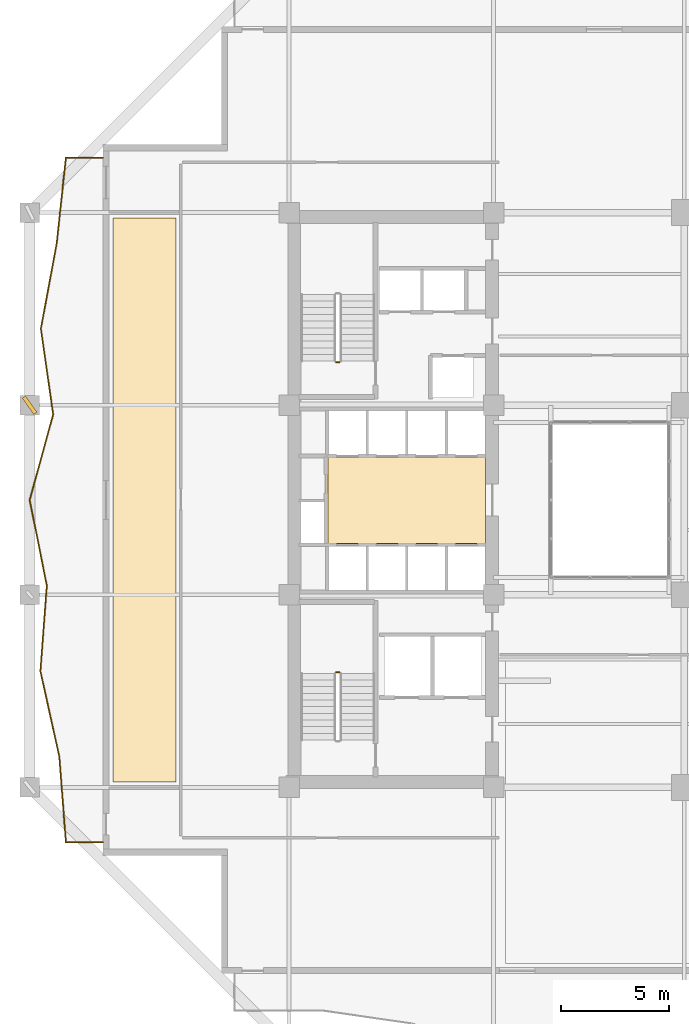
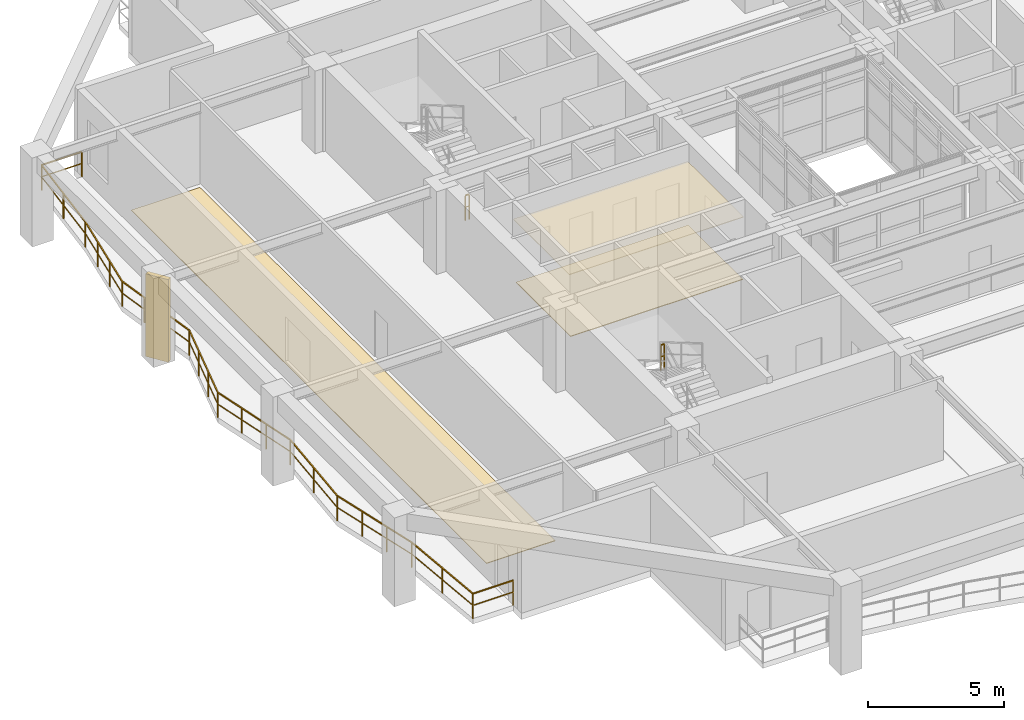
# One storey, part 12 of 17: 3 coverings, 3 railings, 1 shading device.
"""IFC4 building model written with IfcOpenShell, lengths in metres."""

import ifcopenshell
import ifcopenshell.guid

model = None  # the IFC model being written
_history = None  # IfcOwnerHistory: only IFC2X3 demands one
_inside = {}  # id of a spatial element -> (the spatial element, [elements in it])
_under = {}  # id of a project, library or spatial element -> (it, [spatial elements below it])
_declared = {}  # id of a project -> (the project, [libraries it declares])
_typed = {}  # id of a type object -> (the type object, [elements of that type])
_made_of = {}  # id of a material, layer set ... -> (it, [elements and type objects made of it])


def new_model(schema):
    """Start an empty IFC model of exactly this schema.

    Asked for "IFC4X3", IfcOpenShell would pick the latest addendum, in which some entities
    have other attributes; the version numbers below select the first issue.
    IFC2X3 requires an IfcOwnerHistory on every rooted entity: one is made here for all.
    """
    global model, _history
    if schema == "IFC4X3":
        model = ifcopenshell.file(schema_version=(4, 3, 0, 0))
    else:
        model = ifcopenshell.file(schema=schema)
    _inside.clear()
    _under.clear()
    _declared.clear()
    _typed.clear()
    _made_of.clear()
    _history = None
    if model.schema == "IFC2X3":
        org = make("IfcOrganization", Name="unknown")
        user = make(
            "IfcPersonAndOrganization",
            ThePerson=make("IfcPerson", FamilyName="unknown"),
            TheOrganization=org,
        )
        app = make(
            "IfcApplication",
            ApplicationDeveloper=org,
            Version="unknown",
            ApplicationFullName="unknown",
            ApplicationIdentifier="unknown",
        )
        _history = make(
            "IfcOwnerHistory",
            OwningUser=user,
            OwningApplication=app,
            ChangeAction="ADDED",
            CreationDate=0,
        )
    return model


def make(cls, **values):
    """One entity of the class cls with the attributes given. An attribute that is None is left unset."""
    return model.create_entity(
        cls, **{name: value for name, value in values.items() if value is not None}
    )


def rooted(cls, **values):
    """An entity with a GlobalId (a new one), such as an element, a storey or a relation."""
    return make(cls, GlobalId=ifcopenshell.guid.new(), OwnerHistory=_history, **values)


def si_unit(unit_type, name, prefix=None):
    """IfcSIUnit, for example si_unit("LENGTHUNIT", "METRE", prefix="MILLI")."""
    return make("IfcSIUnit", UnitType=unit_type, Prefix=prefix, Name=name)


def assignment(units):
    """IfcUnitAssignment: the units of a project."""
    return None if units is None else make("IfcUnitAssignment", Units=units)


def point(xyz):
    """IfcCartesianPoint."""
    return None if xyz is None else make("IfcCartesianPoint", Coordinates=xyz)


def direction(xyz):
    """IfcDirection."""
    return None if xyz is None else make("IfcDirection", DirectionRatios=xyz)


def frame(location, z_axis=None, x_axis=None):
    """IfcAxis2Placement3D, a coordinate frame: its origin and axes. An axis left out is left unset."""
    return make(
        "IfcAxis2Placement3D",
        Location=point(location),
        Axis=direction(z_axis),
        RefDirection=direction(x_axis),
    )


def frame_2d(location, x_axis=None):
    """IfcAxis2Placement2D, a coordinate frame in the plane: its origin and x axis."""
    return make(
        "IfcAxis2Placement2D", Location=point(location), RefDirection=direction(x_axis)
    )


def origin():
    """The frame at (0, 0, 0) with its axes left unset."""
    return frame((0.0, 0.0, 0.0))


def origin_2d():
    """The frame at (0, 0) in the plane with its x axis left unset."""
    return frame_2d((0.0, 0.0))


def place(relative_to, where):
    """IfcLocalPlacement: puts the frame where relative to a parent placement (None: the world)."""
    return make(
        "IfcLocalPlacement", PlacementRelTo=relative_to, RelativePlacement=where
    )


def context(
    kind, dimensions, precision=None, world=None, true_north=None, identifier=None
):
    """IfcGeometricRepresentationContext, for example the 3D "Model" context."""
    return make(
        "IfcGeometricRepresentationContext",
        ContextIdentifier=identifier,
        ContextType=kind,
        CoordinateSpaceDimension=dimensions,
        Precision=precision,
        WorldCoordinateSystem=world,
        TrueNorth=true_north,
    )


def subcontext(parent, identifier, kind, view, scale=None):
    """IfcGeometricRepresentationSubContext, for example "Body" below "Model"."""
    return make(
        "IfcGeometricRepresentationSubContext",
        ContextIdentifier=identifier,
        ContextType=kind,
        ParentContext=parent,
        TargetScale=scale,
        TargetView=view,
    )


def project(units=None, contexts=None):
    """IfcProject with its units and contexts."""
    return rooted(
        "IfcProject",
        Name="project",
        RepresentationContexts=contexts,
        UnitsInContext=assignment(units),
    )


def spatial(cls, under=None, at=None, **own):
    """A site, building, storey or space (cls), placed at a placement, below another one or the project."""
    s = rooted(cls, ObjectPlacement=at, **own)
    if under is not None:
        _under.setdefault(under.id(), (under, []))[1].append(s)
    return s


def polyline(points):
    """IfcPolyline through the points."""
    return make("IfcPolyline", Points=[point(p) for p in points])


def profile(cls, at=None, kind="AREA", **sizes):
    """A parametric profile (cls). Its sizes go by their IFC names, for example OverallWidth=200.0."""
    return make(cls, ProfileType=kind, Position=at, **sizes)


def rectangle(**sizes):
    """IfcRectangleProfileDef."""
    return profile("IfcRectangleProfileDef", **sizes)


def outline(outer, holes=None, kind="AREA"):
    """IfcArbitraryClosedProfileDef: a profile drawn as a closed curve; with holes, ...WithVoids."""
    if holes is None:
        return make("IfcArbitraryClosedProfileDef", ProfileType=kind, OuterCurve=outer)
    return make(
        "IfcArbitraryProfileDefWithVoids",
        ProfileType=kind,
        OuterCurve=outer,
        InnerCurves=holes,
    )


def extrude(swept, where, along, depth):
    """IfcExtrudedAreaSolid: the profile swept, set in the frame where, extruded along a direction by depth."""
    return make(
        "IfcExtrudedAreaSolid",
        SweptArea=swept,
        Position=where,
        ExtrudedDirection=direction(along),
        Depth=depth,
    )


def shape(context_of_items, identifier, shape_type, items):
    """IfcShapeRepresentation: the items that make up one representation, for example the "Body"."""
    return make(
        "IfcShapeRepresentation",
        ContextOfItems=context_of_items,
        RepresentationIdentifier=identifier,
        RepresentationType=shape_type,
        Items=items,
    )


def material(Name=None, Category=None):
    """IfcMaterial."""
    return make("IfcMaterial", Name=Name, Category=Category)


def layer(
    of_material, thickness, ventilated=None, Name=None, Category=None, Priority=None
):
    """IfcMaterialLayer: one layer of a wall or slab, of a material (None: an air gap)."""
    return make(
        "IfcMaterialLayer",
        Material=of_material,
        LayerThickness=thickness,
        IsVentilated=ventilated,
        Name=Name,
        Category=Category,
        Priority=Priority,
    )


def layer_set(layers, Name=None):
    """IfcMaterialLayerSet."""
    return make("IfcMaterialLayerSet", MaterialLayers=layers, LayerSetName=Name)


def made_of(thing, what):
    """Note that an element or type object is made of a material, layer set ...; save() writes the relation."""
    if what is not None:
        _made_of.setdefault(what.id(), (what, []))[1].append(thing)
    return thing


def type_object(cls, material=None, **own):
    """A type object (cls), such as IfcWallType, which elements share."""
    return made_of(rooted(cls, **own), material)


def element(
    cls,
    number,
    at=None,
    inside=None,
    cuts=None,
    type_object=None,
    material=None,
    context=None,
    identifier="Body",
    shape_type=None,
    held_by="IfcProductDefinitionShape",
    body=None,
    shapes=None,
    **own,
):
    """One element of the class cls, such as IfcWall. Its Tag is "e" and its number.

    at: its placement. inside: the storey or other place that contains it. cuts: it is an
    opening in that element (IfcRelVoidsElement). A single representation is given by context,
    identifier, shape_type and body (its items); several are given by shapes. held_by: the class
    of the entity that holds the representations. save() writes the other relations.
    """
    e = rooted(cls, Tag="e%d" % number, ObjectPlacement=at, **own)
    if body is not None:
        shapes = [shape(context, identifier, shape_type, body)]
    if shapes is not None:
        e.Representation = make(held_by, Representations=shapes)
    if inside is not None:
        _inside.setdefault(inside.id(), (inside, []))[1].append(e)
    if cuts is not None:
        rooted(
            "IfcRelVoidsElement", RelatingBuildingElement=cuts, RelatedOpeningElement=e
        )
    if type_object is not None:
        _typed.setdefault(type_object.id(), (type_object, []))[1].append(e)
    return made_of(e, material)


def aggregate(whole, parts):
    """IfcRelAggregates: a whole, such as a stair, and the parts it consists of."""
    return rooted("IfcRelAggregates", RelatingObject=whole, RelatedObjects=parts)


def save(model, path):
    """Write the relations noted so far, then the file.

    IfcRelAggregates (storeys below a building ...), IfcRelContainedInSpatialStructure (elements
    in a storey), IfcRelDefinesByType, IfcRelAssociatesMaterial and IfcRelDeclares: one each for
    every whole, place, type object, material and project.
    """
    for whole, parts in _under.values():
        aggregate(whole, parts)
    for where, things in _inside.values():
        rooted(
            "IfcRelContainedInSpatialStructure",
            RelatedElements=things,
            RelatingStructure=where,
        )
    for kind, things in _typed.values():
        rooted("IfcRelDefinesByType", RelatedObjects=things, RelatingType=kind)
    for what, things in _made_of.values():
        rooted("IfcRelAssociatesMaterial", RelatedObjects=things, RelatingMaterial=what)
    for by, libraries in _declared.values():
        rooted("IfcRelDeclares", RelatingContext=by, RelatedDefinitions=libraries)
    model.write(path)


model = new_model("IFC4")

# Units and contexts
model_context = context("Model", 3, precision=1e-05, world=origin(), true_north=direction((0.0, 1.0)))
body_context = subcontext(model_context, "Body", "Model", "MODEL_VIEW")
ifc_project = project(units=[si_unit("LENGTHUNIT", "METRE"), si_unit("AREAUNIT", "SQUARE_METRE"), si_unit("VOLUMEUNIT", "CUBIC_METRE"), si_unit("PLANEANGLEUNIT", "RADIAN"), si_unit("MASSUNIT", "GRAM", prefix="KILO")], contexts=[model_context])

# Site, building, storey
site_placement = place(None, origin())
site = spatial("IfcSite", under=ifc_project, at=site_placement, CompositionType="ELEMENT")
building_placement = place(site_placement, origin())
building = spatial("IfcBuilding", under=site, at=building_placement, Name="Kundavana Baori Tower", CompositionType="ELEMENT")
storey_placement = place(building_placement, frame((0.0, 0.0, 30.0)))
storey = spatial("IfcBuildingStorey", under=building, at=storey_placement, Name="L06", CompositionType="ELEMENT", Elevation=30.0)

# Coverings
ifc_material_1 = material(Name="Perforated Acoustic Mineral Fibre Ceiling Board")
ifc_layer_1 = layer(ifc_material_1, 0.02490234375, Name="COV-INT-CEIL")
ifc_layer_set_1 = layer_set([ifc_layer_1], Name="Perforated Acoustic Mineral Fibre Ceiling Board")
covering_type_1 = type_object("IfcCoveringType", Name="COV-INT-CEIL", PredefinedType="CEILING", material=ifc_layer_set_1)
covering_1_placement = place(storey_placement, frame((0.0, 0.0, 2.85009765625)))
element("IfcCovering", 1, at=covering_1_placement, inside=storey, type_object=covering_type_1, Name="L06 Core Lift Lobby Acoustic Ceiling", PredefinedType="CEILING", context=body_context, shape_type="SweptSolid", body=[
    extrude(outline(polyline([(17.159912109375, 26.52001953125), (24.580078125, 26.52001953125), (24.580078125, 30.639892578125), (17.159912109375, 30.639892578125), (17.159912109375, 26.52001953125)])), origin(), (0.0, 0.0, 1.0), 0.02490234375),
])
ifc_material_2 = material(Name="Honed Kota Stone and Terrazzo Flooring", Category="masonry")
ifc_layer_2 = layer(ifc_material_2, 0.030029296875, Name="COV-INT-FLR")
ifc_layer_set_2 = layer_set([ifc_layer_2], Name="Honed Kota Stone and Terrazzo Flooring")
covering_type_2 = type_object("IfcCoveringType", Name="COV-INT-FLR", PredefinedType="FLOORING", material=ifc_layer_set_2)
covering_2_placement = place(storey_placement, origin())
element("IfcCovering", 2, at=covering_2_placement, inside=storey, type_object=covering_type_2, Name="L06 Room Finished Stone Flooring 1", PredefinedType="FLOORING", context=body_context, shape_type="SweptSolid", body=[
    extrude(outline(polyline([(7.280029296875, 15.5), (10.199951171875, 15.5), (10.199951171875, 41.699951171875), (7.280029296875, 41.699951171875), (7.280029296875, 15.5)])), origin(), (0.0, 0.0, 1.0), 0.030029296875),
])
covering_3_placement = place(storey_placement, origin())
element("IfcCovering", 3, at=covering_3_placement, inside=storey, type_object=covering_type_2, Name="L06 Core Lift Lobby Kota Stone Flooring", PredefinedType="FLOORING", context=body_context, shape_type="SweptSolid", body=[
    extrude(outline(polyline([(17.25, 26.580078125), (24.580078125, 26.580078125), (24.580078125, 30.60009765625), (17.25, 30.60009765625), (17.25, 26.580078125)])), origin(), (0.0, 0.0, 1.0), 0.030029296875),
])

# Railings
ifc_material_3 = material(Name="Architectural Patinated Bronze Metalwork")
railing_type_1 = type_object("IfcRailingType", Name="RL-BAL-1150", PredefinedType="BALUSTRADE", material=ifc_material_3)
railing_placement = place(storey_placement, frame((6.800048828125, 12.699951171875, 0.0)))
element("IfcRailing", 4, at=railing_placement, inside=storey, type_object=railing_type_1, Name="L06 Loggia Balcony Balustrade W", PredefinedType="BALUSTRADE", context=body_context, shape_type="SweptSolid", body=[
    extrude(rectangle(XDim=0.048095703125, YDim=0.048095703125, at=origin_2d()), frame((0.0, 0.0, 1.1259765625), z_axis=(-1.0, 0.0, 0.0), x_axis=(0.0, -1.0, 0.0)), (0.0, 0.0, 1.0), 1.719970703125),
    extrude(rectangle(XDim=0.03125, YDim=0.03125, at=origin_2d()), frame((0.0, 0.0, 0.597900390625), z_axis=(-1.0, 0.0, 0.0), x_axis=(0.0, -1.0, 0.0)), (0.0, 0.0, 1.0), 1.719970703125),
    extrude(rectangle(XDim=0.048095703125, YDim=0.048095703125, at=origin_2d()), frame((-1.719970703125, 0.0, 1.1259765625), z_axis=(-0.076790153861, 0.997047276848, 0.0), x_axis=(-0.997047276848, -0.076790153861, 0.0)), (0.0, 0.0, 1.0), 3.98681640625),
    extrude(rectangle(XDim=0.03125, YDim=0.03125, at=origin_2d()), frame((-1.719970703125, 0.0, 0.597900390625), z_axis=(-0.076790153861, 0.997047276848, 0.0), x_axis=(-0.997047276848, -0.076790153861, 0.0)), (0.0, 0.0, 1.0), 3.98681640625),
    extrude(rectangle(XDim=0.048095703125, YDim=0.048095703125, at=origin_2d()), frame((-2.026123046875, 3.97509765625, 1.1259765625), z_axis=(-0.215901629604, 0.976415119882, 0.0), x_axis=(-0.976415119882, -0.215901629604, 0.0)), (0.0, 0.0, 1.0), 4.07080078125),
    extrude(rectangle(XDim=0.03125, YDim=0.03125, at=origin_2d()), frame((-2.026123046875, 3.97509765625, 0.597900390625), z_axis=(-0.215901629604, 0.976415119882, 0.0), x_axis=(-0.976415119882, -0.215901629604, 0.0)), (0.0, 0.0, 1.0), 4.07080078125),
    extrude(rectangle(XDim=0.048095703125, YDim=0.048095703125, at=origin_2d()), frame((-2.905029296875, 7.949951171875, 1.1259765625), z_axis=(0.074780812793, 0.997199995005, 0.0), x_axis=(-0.997199995005, 0.074780812793, 0.0)), (0.0, 0.0, 1.0), 3.986328125),
    extrude(rectangle(XDim=0.03125, YDim=0.03125, at=origin_2d()), frame((-2.905029296875, 7.949951171875, 0.597900390625), z_axis=(0.074780812793, 0.997199995005, 0.0), x_axis=(-0.997199995005, 0.074780812793, 0.0)), (0.0, 0.0, 1.0), 3.986328125),
    extrude(rectangle(XDim=0.048095703125, YDim=0.048095703125, at=origin_2d()), frame((-2.60693359375, 11.925048828125, 1.1259765625), z_axis=(-0.195687556166, 0.980666294089, 0.0), x_axis=(-0.980666294089, -0.195687556166, 0.0)), (0.0, 0.0, 1.0), 4.053466796875),
    extrude(rectangle(XDim=0.03125, YDim=0.03125, at=origin_2d()), frame((-2.60693359375, 11.925048828125, 0.597900390625), z_axis=(-0.195687556166, 0.980666294089, 0.0), x_axis=(-0.980666294089, -0.195687556166, 0.0)), (0.0, 0.0, 1.0), 4.053466796875),
    extrude(rectangle(XDim=0.048095703125, YDim=0.048095703125, at=origin_2d()), frame((-3.400146484375, 15.900146484375, 1.1259765625), z_axis=(0.26403963106, 0.964511831565, 0.0), x_axis=(-0.964511831565, 0.26403963106, 0.0)), (0.0, 0.0, 1.0), 4.12109375),
    extrude(rectangle(XDim=0.03125, YDim=0.03125, at=origin_2d()), frame((-3.400146484375, 15.900146484375, 0.597900390625), z_axis=(0.26403963106, 0.964511831565, 0.0), x_axis=(-0.964511831565, 0.26403963106, 0.0)), (0.0, 0.0, 1.0), 4.12109375),
    extrude(rectangle(XDim=0.048095703125, YDim=0.048095703125, at=origin_2d()), frame((-2.31201171875, 19.875, 1.1259765625), z_axis=(-0.142434065639, 0.989804292245, 0.0), x_axis=(-0.989804292245, -0.142434065639, 0.0)), (0.0, 0.0, 1.0), 4.01611328125),
    extrude(rectangle(XDim=0.03125, YDim=0.03125, at=origin_2d()), frame((-2.31201171875, 19.875, 0.597900390625), z_axis=(-0.142434065639, 0.989804292245, 0.0), x_axis=(-0.989804292245, -0.142434065639, 0.0)), (0.0, 0.0, 1.0), 4.01611328125),
    extrude(rectangle(XDim=0.048095703125, YDim=0.048095703125, at=origin_2d()), frame((-2.884033203125, 23.85009765625, 1.1259765625), z_axis=(0.182322812683, 0.983238725832, 0.0), x_axis=(-0.983238725832, 0.182322812683, 0.0)), (0.0, 0.0, 1.0), 4.042724609375),
    extrude(rectangle(XDim=0.03125, YDim=0.03125, at=origin_2d()), frame((-2.884033203125, 23.85009765625, 0.597900390625), z_axis=(0.182322812683, 0.983238725832, 0.0), x_axis=(-0.983238725832, 0.182322812683, 0.0)), (0.0, 0.0, 1.0), 4.042724609375),
    extrude(rectangle(XDim=0.048095703125, YDim=0.048095703125, at=origin_2d()), frame((-2.14697265625, 27.824951171875, 1.1259765625), z_axis=(0.10680479883, 0.994280008321, 0.0), x_axis=(-0.994280008321, 0.10680479883, 0.0)), (0.0, 0.0, 1.0), 3.998046875),
    extrude(rectangle(XDim=0.03125, YDim=0.03125, at=origin_2d()), frame((-2.14697265625, 27.824951171875, 0.597900390625), z_axis=(0.10680479883, 0.994280008321, 0.0), x_axis=(-0.994280008321, 0.10680479883, 0.0)), (0.0, 0.0, 1.0), 3.998046875),
    extrude(rectangle(XDim=0.048095703125, YDim=0.048095703125, at=origin_2d()), frame((-1.719970703125, 31.800048828125, 1.1259765625), z_axis=(1.0, 0.0, 0.0), x_axis=(0.0, 1.0, 0.0)), (0.0, 0.0, 1.0), 1.719970703125),
    extrude(rectangle(XDim=0.03125, YDim=0.03125, at=origin_2d()), frame((-1.719970703125, 31.800048828125, 0.597900390625), z_axis=(1.0, 0.0, 0.0), x_axis=(0.0, 1.0, 0.0)), (0.0, 0.0, 1.0), 1.719970703125),
    extrude(rectangle(XDim=0.0419921875, YDim=0.0419921875, at=origin_2d()), origin(), (0.0, 0.0, 1.0), 1.101806640625),
    extrude(rectangle(XDim=0.0419921875, YDim=0.0419921875, at=origin_2d()), frame((-1.719970703125, 0.0, 0.0)), (0.0, 0.0, 1.0), 1.101806640625),
    extrude(rectangle(XDim=0.0419921875, YDim=0.0419921875, at=origin_2d()), frame((-1.873046875, 1.987548828125, 0.0)), (0.0, 0.0, 1.0), 1.101806640625),
    extrude(rectangle(XDim=0.0419921875, YDim=0.0419921875, at=origin_2d()), frame((-2.026123046875, 3.97509765625, 0.0)), (0.0, 0.0, 1.0), 1.101806640625),
    extrude(rectangle(XDim=0.0419921875, YDim=0.0419921875, at=origin_2d()), frame((-2.319091796875, 5.300048828125, 0.0)), (0.0, 0.0, 1.0), 1.101806640625),
    extrude(rectangle(XDim=0.0419921875, YDim=0.0419921875, at=origin_2d()), frame((-2.612060546875, 6.625, 0.0)), (0.0, 0.0, 1.0), 1.101806640625),
    extrude(rectangle(XDim=0.0419921875, YDim=0.0419921875, at=origin_2d()), frame((-2.905029296875, 7.949951171875, 0.0)), (0.0, 0.0, 1.0), 1.101806640625),
    extrude(rectangle(XDim=0.0419921875, YDim=0.0419921875, at=origin_2d()), frame((-2.755859375, 9.9375, 0.0)), (0.0, 0.0, 1.0), 1.101806640625),
    extrude(rectangle(XDim=0.0419921875, YDim=0.0419921875, at=origin_2d()), frame((-2.60693359375, 11.925048828125, 0.0)), (0.0, 0.0, 1.0), 1.101806640625),
    extrude(rectangle(XDim=0.0419921875, YDim=0.0419921875, at=origin_2d()), frame((-2.871337890625, 13.25, 0.0)), (0.0, 0.0, 1.0), 1.101806640625),
    extrude(rectangle(XDim=0.0419921875, YDim=0.0419921875, at=origin_2d()), frame((-3.1357421875, 14.5751953125, 0.0)), (0.0, 0.0, 1.0), 1.101806640625),
    extrude(rectangle(XDim=0.0419921875, YDim=0.0419921875, at=origin_2d()), frame((-3.400146484375, 15.900146484375, 0.0)), (0.0, 0.0, 1.0), 1.101806640625),
    extrude(rectangle(XDim=0.0419921875, YDim=0.0419921875, at=origin_2d()), frame((-3.037353515625, 17.22509765625, 0.0)), (0.0, 0.0, 1.0), 1.101806640625),
    extrude(rectangle(XDim=0.0419921875, YDim=0.0419921875, at=origin_2d()), frame((-2.6748046875, 18.550048828125, 0.0)), (0.0, 0.0, 1.0), 1.101806640625),
    extrude(rectangle(XDim=0.0419921875, YDim=0.0419921875, at=origin_2d()), frame((-2.31201171875, 19.875, 0.0)), (0.0, 0.0, 1.0), 1.101806640625),
    extrude(rectangle(XDim=0.0419921875, YDim=0.0419921875, at=origin_2d()), frame((-2.502685546875, 21.199951171875, 0.0)), (0.0, 0.0, 1.0), 1.101806640625),
    extrude(rectangle(XDim=0.0419921875, YDim=0.0419921875, at=origin_2d()), frame((-2.693359375, 22.525146484375, 0.0)), (0.0, 0.0, 1.0), 1.101806640625),
    extrude(rectangle(XDim=0.0419921875, YDim=0.0419921875, at=origin_2d()), frame((-2.884033203125, 23.85009765625, 0.0)), (0.0, 0.0, 1.0), 1.101806640625),
    extrude(rectangle(XDim=0.0419921875, YDim=0.0419921875, at=origin_2d()), frame((-2.638427734375, 25.175048828125, 0.0)), (0.0, 0.0, 1.0), 1.101806640625),
    extrude(rectangle(XDim=0.0419921875, YDim=0.0419921875, at=origin_2d()), frame((-2.392578125, 26.5, 0.0)), (0.0, 0.0, 1.0), 1.101806640625),
    extrude(rectangle(XDim=0.0419921875, YDim=0.0419921875, at=origin_2d()), frame((-2.14697265625, 27.824951171875, 0.0)), (0.0, 0.0, 1.0), 1.101806640625),
    extrude(rectangle(XDim=0.0419921875, YDim=0.0419921875, at=origin_2d()), frame((-1.93359375, 29.8125, 0.0)), (0.0, 0.0, 1.0), 1.101806640625),
    extrude(rectangle(XDim=0.0419921875, YDim=0.0419921875, at=origin_2d()), frame((-1.719970703125, 31.800048828125, 0.0)), (0.0, 0.0, 1.0), 1.101806640625),
    extrude(rectangle(XDim=0.0419921875, YDim=0.0419921875, at=origin_2d()), frame((0.0, 31.800048828125, 0.0)), (0.0, 0.0, 1.0), 1.101806640625),
])
ifc_material_4 = material(Name="Architectural Patinated Bronze Metalwork")
railing_type_2 = type_object("IfcRailingType", Name="RL-GRD-1150", PredefinedType="GUARDRAIL", material=ifc_material_4)
for number, where, name in (
    (5, (17.7900390625, 20.60009765625, 2.0), "L06 ST1 stair guard 2"),
    (6, (17.7900390625, 35.0, 0.0), "L06 ST2 stair guard 4"),
):
    element("IfcRailing", number, at=place(storey_placement, frame(where)), inside=storey, type_object=railing_type_2, Name=name, PredefinedType="GUARDRAIL", context=body_context, shape_type="SweptSolid", body=[
        extrude(rectangle(XDim=0.048095703125, YDim=0.048095703125, at=origin_2d()), frame((0.0, 0.0, 1.1259765625), z_axis=(-1.0, 0.0, 0.0), x_axis=(0.0, -1.0, 0.0)), (0.0, 0.0, 1.0), 0.16015625),
        extrude(rectangle(XDim=0.03125, YDim=0.03125, at=origin_2d()), frame((0.0, 0.0, 0.597900390625), z_axis=(-1.0, 0.0, 0.0), x_axis=(0.0, -1.0, 0.0)), (0.0, 0.0, 1.0), 0.16015625),
        extrude(rectangle(XDim=0.0419921875, YDim=0.0419921875, at=origin_2d()), origin(), (0.0, 0.0, 1.0), 1.101806640625),
        extrude(rectangle(XDim=0.0419921875, YDim=0.0419921875, at=origin_2d()), frame((-0.16015625, 0.0, 0.0)), (0.0, 0.0, 1.0), 1.101806640625),
    ])

# Shading device
ifc_material_5 = material(Name="Red-Buff Dholpur Sandstone Cladding on Concrete C40/50", Category="masonry")
shading_device_type = type_object("IfcShadingDeviceType", Name="SHD-FIN-920", PredefinedType="JALOUSIE", material=ifc_material_5)
shading_device_placement = place(storey_placement, frame((3.39990234375, 33.0, 0.0), z_axis=(0.0, 0.0, 1.0), x_axis=(0.817245492307, 0.576289688702, 0.0)))
element("IfcShadingDevice", 7, at=shading_device_placement, inside=storey, type_object=shading_device_type, Name="L06 Sweeping Dholpur Sandstone Facade Fin 7", PredefinedType="JALOUSIE", context=body_context, shape_type="SweptSolid", body=[
    extrude(rectangle(XDim=0.179931640625, YDim=0.919921875, at=origin_2d()), origin(), (0.0, 0.0, 1.0), 3.719970703125),
])

save(model, "model.ifc")
